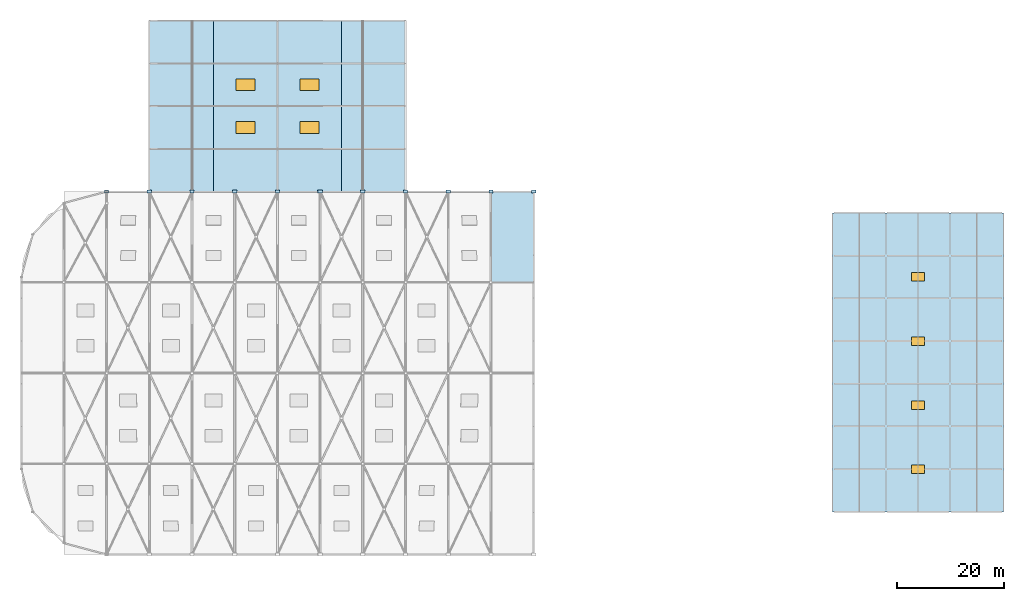
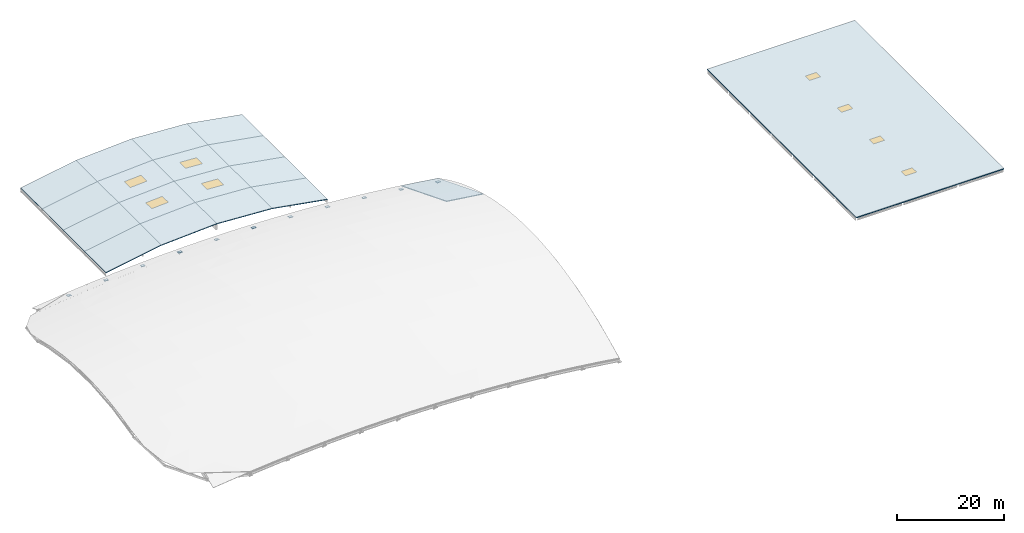
# One storey, part 7 of 11: 18 slabs, 13 plates, 8 windows, 8 openings.
"""IFC4 building model written with IfcOpenShell, lengths in metres."""

from ifc_helpers import new_model, si_unit, direction, frame, origin, origin_2d, place, context, subcontext, project, spatial, polyline, rectangle, outline, extrude, material, layer, layer_set, type_object, element, fill, save


model = new_model("IFC4")

# Units and contexts
model_context = context("Model", 3, precision=1e-05, world=origin(), true_north=direction((0.0, 1.0)))
body_context = subcontext(model_context, "Body", "Model", "MODEL_VIEW")
ifc_project = project(units=[si_unit("LENGTHUNIT", "METRE"), si_unit("AREAUNIT", "SQUARE_METRE"), si_unit("VOLUMEUNIT", "CUBIC_METRE"), si_unit("PLANEANGLEUNIT", "RADIAN"), si_unit("MASSUNIT", "GRAM", prefix="KILO")], contexts=[model_context])

# Site, building, storey
site_placement = place(None, origin())
site = spatial("IfcSite", under=ifc_project, at=site_placement, CompositionType="ELEMENT")
building_placement = place(site_placement, origin())
building = spatial("IfcBuilding", under=site, at=building_placement, Name="Drelvana Railside Aquatics Centre", CompositionType="ELEMENT")
storey_placement = place(building_placement, frame((0.0, 0.0, 22.800048828125)))
storey = spatial("IfcBuildingStorey", under=building, at=storey_placement, Name="Roof", CompositionType="ELEMENT", Elevation=22.800048828125)

# Slabs
ifc_material_1 = material(Name="Glulam timber GL28h", Category="wood")
ifc_layer_1 = layer(ifc_material_1, 0.14990234375, Name="Glulam timber GL28h")
ifc_layer_set_1 = layer_set([ifc_layer_1], Name="Glulam timber GL28h")
slab_type_1 = type_object("IfcSlabType", Name="SL-RF-150", PredefinedType="ROOF", material=ifc_layer_set_1)
slab_1_placement = place(storey_placement, frame((88.0, 67.0, 0.050048828125), z_axis=(0.126774886826, 0.366055410665, 0.921917330563), x_axis=(0.99067720781, 0.0, -0.136230209301)))
element("IfcSlab", 1, at=slab_1_placement, inside=storey, type_object=slab_type_1, Name="Gridshell planar roof panel 12.4", PredefinedType="ROOF", context=body_context, shape_type="SweptSolid", body=[
    extrude(outline(polyline([(0.0, 0.0), (8.075284196440814, 0.0), (8.994838109225748, 18.26792053304048), (0.9195539127849354, 18.26792053304048), (0.0, 0.0)])), origin(), (0.0, 0.0, -1.0), 0.14990234375),
])
ifc_layer_2 = layer(ifc_material_1, 0.159912109375, Name="Glulam timber GL28h")
ifc_layer_set_2 = layer_set([ifc_layer_2], Name="Glulam timber GL28h")
slab_type_2 = type_object("IfcSlabType", Name="SL-RF-160", PredefinedType="ROOF", material=ifc_layer_set_2)
for number, where, z_axis, x_axis, name in (
    (2, (24.0, 84.0, -4.199951171875), (-0.17236866472, 0.0, 0.985032508815), (0.985032508815, 0.0, 0.17236866472), "Diving Hall barrel vault panel 1.1"),
    (3, (24.0, 92.0, -4.199951171875), (-0.17236866472, 0.0, 0.985032508815), (0.985032508815, 0.0, 0.17236866472), "Diving Hall barrel vault panel 1.2"),
    (4, (24.0, 100.0, -4.199951171875), (-0.17236866472, 0.0, 0.985032508815), (0.985032508815, 0.0, 0.17236866472), "Diving Hall barrel vault panel 1.3"),
    (5, (24.0, 108.0, -4.199951171875), (-0.17236866472, 0.0, 0.985032508815), (0.985032508815, 0.0, 0.17236866472), "Diving Hall barrel vault panel 1.4"),
):
    element("IfcSlab", number, at=place(storey_placement, frame(where, z_axis=z_axis, x_axis=x_axis)), inside=storey, type_object=slab_type_2, Name=name, PredefinedType="ROOF", context=body_context, shape_type="SweptSolid", body=[
        extrude(outline(polyline([(0.0, 0.0), (12.18233905237753, 0.0), (12.18233905237753, 8.0), (0.0, 8.0), (0.0, 0.0)])), origin(), (0.0, 0.0, -1.0), 0.159912109375),
    ])
slab_2_placement = place(storey_placement, frame((36.0, 84.0, -2.10009765625), z_axis=(-0.058230289889, 0.0, 0.998303177066), x_axis=(0.998303177066, 0.0, 0.058230289889)))
element("IfcSlab", 6, at=slab_2_placement, inside=storey, type_object=slab_type_2, Name="Diving Hall barrel vault panel 2.1", PredefinedType="ROOF", context=body_context, shape_type="SweptSolid", body=[
    extrude(outline(polyline([(0.0, 0.0), (12.020396484434661, 0.0), (12.020396484434661, 8.0), (0.0, 8.0), (0.0, 0.0)])), origin(), (0.0, 0.0, -1.0), 0.159912109375),
])

# Slab, opening, window
slab_3_placement = place(storey_placement, frame((36.0, 92.0, -2.10009765625), z_axis=(-0.058230289889, 0.0, 0.998303177066), x_axis=(0.998303177066, 0.0, 0.058230289889)))
slab_3 = element("IfcSlab", 7, at=slab_3_placement, inside=storey, type_object=slab_type_2, Name="Diving Hall barrel vault panel 2.2", PredefinedType="ROOF", context=body_context, shape_type="SweptSolid", body=[
    extrude(outline(polyline([(0.0, 0.0), (12.020396484434661, 0.0), (12.020396484434661, 8.0), (0.0, 8.0), (0.0, 0.0)])), origin(), (0.0, 0.0, -1.0), 0.159912109375),
])
opening_1_placement = place(slab_3_placement, frame((6.01025390625, 4.0, 0.010009765625)))
opening_1 = element("IfcOpeningElement", 8, at=opening_1_placement, cuts=slab_3, Name="Opening SK-04", PredefinedType="OPENING", context=body_context, shape_type="SweptSolid", body=[
    extrude(rectangle(XDim=3.60009765625, YDim=2.199951171875, at=origin_2d()), origin(), (0.0, 0.0, -1.0), 0.179931640625),
])
ifc_material_2 = material(Name="Laminated solar-control safety glass", Category="glass")
window_type_1 = type_object("IfcWindowType", Name="WIN-SK-04", PartitioningType="SINGLE_PANEL", PredefinedType="SKYLIGHT", material=ifc_material_2)
window_1_placement = place(slab_3_placement, frame((6.01025390625, 4.0, 0.0)))
window_1 = element("IfcWindow", 9, at=window_1_placement, inside=storey, type_object=window_type_1, Name="Diving Hall rooflight 1.1", OverallHeight=2.199951171875, OverallWidth=3.60009765625, PartitioningType="SINGLE_PANEL", PredefinedType="SKYLIGHT", context=body_context, shape_type="SweptSolid", body=[
    extrude(rectangle(XDim=3.60009765625, YDim=2.199951171875, at=origin_2d()), origin(), (0.0, 0.0, -1.0), 0.06005859375),
])
fill(opening_1, window_1)

slab_4_placement = place(storey_placement, frame((36.0, 100.0, -2.10009765625), z_axis=(-0.058230289889, 0.0, 0.998303177066), x_axis=(0.998303177066, 0.0, 0.058230289889)))
slab_4 = element("IfcSlab", 10, at=slab_4_placement, inside=storey, type_object=slab_type_2, Name="Diving Hall barrel vault panel 2.3", PredefinedType="ROOF", context=body_context, shape_type="SweptSolid", body=[
    extrude(outline(polyline([(0.0, 0.0), (12.020396484434661, 0.0), (12.020396484434661, 8.0), (0.0, 8.0), (0.0, 0.0)])), origin(), (0.0, 0.0, -1.0), 0.159912109375),
])
opening_2_placement = place(slab_4_placement, frame((6.01025390625, 4.0, 0.010009765625)))
opening_2 = element("IfcOpeningElement", 11, at=opening_2_placement, cuts=slab_4, Name="Opening SK-04", PredefinedType="OPENING", context=body_context, shape_type="SweptSolid", body=[
    extrude(rectangle(XDim=3.60009765625, YDim=2.199951171875, at=origin_2d()), origin(), (0.0, 0.0, -1.0), 0.179931640625),
])
window_2_placement = place(slab_4_placement, frame((6.01025390625, 4.0, 0.0)))
window_2 = element("IfcWindow", 12, at=window_2_placement, inside=storey, type_object=window_type_1, Name="Diving Hall rooflight 1.2", OverallHeight=2.199951171875, OverallWidth=3.60009765625, PartitioningType="SINGLE_PANEL", PredefinedType="SKYLIGHT", context=body_context, shape_type="SweptSolid", body=[
    extrude(rectangle(XDim=3.60009765625, YDim=2.199951171875, at=origin_2d()), origin(), (0.0, 0.0, -1.0), 0.06005859375),
])
fill(opening_2, window_2)

# Slabs
for number, where, z_axis, x_axis, name in (
    (13, (36.0, 108.0, -2.10009765625), (-0.058230289889, 0.0, 0.998303177066), (0.998303177066, 0.0, 0.058230289889), "Diving Hall barrel vault panel 2.4"),
    (14, (48.0, 84.0, -1.400146484375), (0.058230289889, 0.0, 0.998303177066), (0.998303177066, 0.0, -0.058230289889), "Diving Hall barrel vault panel 3.1"),
):
    element("IfcSlab", number, at=place(storey_placement, frame(where, z_axis=z_axis, x_axis=x_axis)), inside=storey, type_object=slab_type_2, Name=name, PredefinedType="ROOF", context=body_context, shape_type="SweptSolid", body=[
        extrude(outline(polyline([(0.0, 0.0), (12.020396484434661, 0.0), (12.020396484434661, 8.0), (0.0, 8.0), (0.0, 0.0)])), origin(), (0.0, 0.0, -1.0), 0.159912109375),
    ])

# Slab, opening, window
slab_5_placement = place(storey_placement, frame((48.0, 92.0, -1.400146484375), z_axis=(0.058230289889, 0.0, 0.998303177066), x_axis=(0.998303177066, 0.0, -0.058230289889)))
slab_5 = element("IfcSlab", 15, at=slab_5_placement, inside=storey, type_object=slab_type_2, Name="Diving Hall barrel vault panel 3.2", PredefinedType="ROOF", context=body_context, shape_type="SweptSolid", body=[
    extrude(outline(polyline([(0.0, 0.0), (12.020396484434661, 0.0), (12.020396484434661, 8.0), (0.0, 8.0), (0.0, 0.0)])), origin(), (0.0, 0.0, -1.0), 0.159912109375),
])
opening_3_placement = place(slab_5_placement, frame((6.01025390625, 4.0, 0.010009765625)))
opening_3 = element("IfcOpeningElement", 16, at=opening_3_placement, cuts=slab_5, Name="Opening SK-04", PredefinedType="OPENING", context=body_context, shape_type="SweptSolid", body=[
    extrude(rectangle(XDim=3.60009765625, YDim=2.199951171875, at=origin_2d()), origin(), (0.0, 0.0, -1.0), 0.179931640625),
])
window_3_placement = place(slab_5_placement, frame((6.01025390625, 4.0, 0.0)))
window_3 = element("IfcWindow", 17, at=window_3_placement, inside=storey, type_object=window_type_1, Name="Diving Hall rooflight 2.1", OverallHeight=2.199951171875, OverallWidth=3.60009765625, PartitioningType="SINGLE_PANEL", PredefinedType="SKYLIGHT", context=body_context, shape_type="SweptSolid", body=[
    extrude(rectangle(XDim=3.60009765625, YDim=2.199951171875, at=origin_2d()), origin(), (0.0, 0.0, -1.0), 0.06005859375),
])
fill(opening_3, window_3)

slab_6_placement = place(storey_placement, frame((48.0, 100.0, -1.400146484375), z_axis=(0.058230289889, 0.0, 0.998303177066), x_axis=(0.998303177066, 0.0, -0.058230289889)))
slab_6 = element("IfcSlab", 18, at=slab_6_placement, inside=storey, type_object=slab_type_2, Name="Diving Hall barrel vault panel 3.3", PredefinedType="ROOF", context=body_context, shape_type="SweptSolid", body=[
    extrude(outline(polyline([(0.0, 0.0), (12.020396484434661, 0.0), (12.020396484434661, 8.0), (0.0, 8.0), (0.0, 0.0)])), origin(), (0.0, 0.0, -1.0), 0.159912109375),
])
opening_4_placement = place(slab_6_placement, frame((6.01025390625, 4.0, 0.010009765625)))
opening_4 = element("IfcOpeningElement", 19, at=opening_4_placement, cuts=slab_6, Name="Opening SK-04", PredefinedType="OPENING", context=body_context, shape_type="SweptSolid", body=[
    extrude(rectangle(XDim=3.60009765625, YDim=2.199951171875, at=origin_2d()), origin(), (0.0, 0.0, -1.0), 0.179931640625),
])
window_4_placement = place(slab_6_placement, frame((6.01025390625, 4.0, 0.0)))
window_4 = element("IfcWindow", 20, at=window_4_placement, inside=storey, type_object=window_type_1, Name="Diving Hall rooflight 2.2", OverallHeight=2.199951171875, OverallWidth=3.60009765625, PartitioningType="SINGLE_PANEL", PredefinedType="SKYLIGHT", context=body_context, shape_type="SweptSolid", body=[
    extrude(rectangle(XDim=3.60009765625, YDim=2.199951171875, at=origin_2d()), origin(), (0.0, 0.0, -1.0), 0.06005859375),
])
fill(opening_4, window_4)

# Slabs
slab_7_placement = place(storey_placement, frame((48.0, 108.0, -1.400146484375), z_axis=(0.058230289889, 0.0, 0.998303177066), x_axis=(0.998303177066, 0.0, -0.058230289889)))
element("IfcSlab", 21, at=slab_7_placement, inside=storey, type_object=slab_type_2, Name="Diving Hall barrel vault panel 3.4", PredefinedType="ROOF", context=body_context, shape_type="SweptSolid", body=[
    extrude(outline(polyline([(0.0, 0.0), (12.020396484434661, 0.0), (12.020396484434661, 8.0), (0.0, 8.0), (0.0, 0.0)])), origin(), (0.0, 0.0, -1.0), 0.159912109375),
])
for number, where, z_axis, x_axis, name in (
    (22, (60.0, 84.0, -2.10009765625), (0.17236866472, 0.0, 0.985032508815), (0.985032508815, 0.0, -0.17236866472), "Diving Hall barrel vault panel 4.1"),
    (23, (60.0, 92.0, -2.10009765625), (0.17236866472, 0.0, 0.985032508815), (0.985032508815, 0.0, -0.17236866472), "Diving Hall barrel vault panel 4.2"),
    (24, (60.0, 100.0, -2.10009765625), (0.17236866472, 0.0, 0.985032508815), (0.985032508815, 0.0, -0.17236866472), "Diving Hall barrel vault panel 4.3"),
    (25, (60.0, 108.0, -2.10009765625), (0.17236866472, 0.0, 0.985032508815), (0.985032508815, 0.0, -0.17236866472), "Diving Hall barrel vault panel 4.4"),
):
    element("IfcSlab", number, at=place(storey_placement, frame(where, z_axis=z_axis, x_axis=x_axis)), inside=storey, type_object=slab_type_2, Name=name, PredefinedType="ROOF", context=body_context, shape_type="SweptSolid", body=[
        extrude(outline(polyline([(0.0, 0.0), (12.18233905237753, 0.0), (12.18233905237753, 8.0), (0.0, 8.0), (0.0, 0.0)])), origin(), (0.0, 0.0, -1.0), 0.159912109375),
    ])

# Slab, openings, windows
ifc_material_3 = material(Name="Concrete C40/50", Category="concrete")
ifc_layer_3 = layer(ifc_material_3, 0.215087890625, Name="Concrete C40/50")
ifc_layer_set_3 = layer_set([ifc_layer_3], Name="Concrete C40/50")
slab_type_3 = type_object("IfcSlabType", Name="SL-RF-215", PredefinedType="ROOF", material=ifc_layer_set_3)
slab_8_placement = place(storey_placement, frame((0.0, 0.0, -0.215087890625)))
slab_8 = element("IfcSlab", 26, at=slab_8_placement, inside=storey, type_object=slab_type_3, Name="Federation Wing main roof slab", PredefinedType="ROOF", context=body_context, shape_type="SweptSolid", body=[
    extrude(outline(polyline([(152.0, 24.0), (184.0, 24.0), (184.0, 80.0), (152.0, 80.0), (152.0, 24.0)])), origin(), (0.0, 0.0, 1.0), 0.215087890625),
])
opening_5_placement = place(slab_8_placement, frame((168.0, 32.0, -0.010009765625), z_axis=(0.0, 0.0, 1.0), x_axis=(1.0, 0.0, 0.0)))
opening_5 = element("IfcOpeningElement", 27, at=opening_5_placement, cuts=slab_8, Name="Opening SK-01", PredefinedType="OPENING", context=body_context, shape_type="SweptSolid", body=[
    extrude(rectangle(XDim=2.39990234375, YDim=1.60009765625, at=origin_2d()), origin(), (0.0, 0.0, 1.0), 0.235107421875),
])
opening_6_placement = place(slab_8_placement, frame((168.0, 44.0, -0.010009765625), z_axis=(0.0, 0.0, 1.0), x_axis=(1.0, 0.0, 0.0)))
opening_6 = element("IfcOpeningElement", 28, at=opening_6_placement, cuts=slab_8, Name="Opening SK-01", PredefinedType="OPENING", context=body_context, shape_type="SweptSolid", body=[
    extrude(rectangle(XDim=2.39990234375, YDim=1.60009765625, at=origin_2d()), origin(), (0.0, 0.0, 1.0), 0.235107421875),
])
opening_7_placement = place(slab_8_placement, frame((168.0, 56.0, -0.010009765625), z_axis=(0.0, 0.0, 1.0), x_axis=(1.0, 0.0, 0.0)))
opening_7 = element("IfcOpeningElement", 29, at=opening_7_placement, cuts=slab_8, Name="Opening SK-01", PredefinedType="OPENING", context=body_context, shape_type="SweptSolid", body=[
    extrude(rectangle(XDim=2.39990234375, YDim=1.60009765625, at=origin_2d()), origin(), (0.0, 0.0, 1.0), 0.235107421875),
])
opening_8_placement = place(slab_8_placement, frame((168.0, 68.0, -0.010009765625), z_axis=(0.0, 0.0, 1.0), x_axis=(1.0, 0.0, 0.0)))
opening_8 = element("IfcOpeningElement", 30, at=opening_8_placement, cuts=slab_8, Name="Opening SK-01", PredefinedType="OPENING", context=body_context, shape_type="SweptSolid", body=[
    extrude(rectangle(XDim=2.39990234375, YDim=1.60009765625, at=origin_2d()), origin(), (0.0, 0.0, 1.0), 0.235107421875),
])
window_type_2 = type_object("IfcWindowType", Name="WIN-SK-01", PartitioningType="SINGLE_PANEL", PredefinedType="SKYLIGHT", material=ifc_material_2)
window_5_placement = place(slab_8_placement, frame((168.0, 32.0, 0.1650390625), z_axis=(0.0, 0.0, 1.0), x_axis=(1.0, 0.0, 0.0)))
window_5 = element("IfcWindow", 31, at=window_5_placement, inside=storey, type_object=window_type_2, Name="Federation Wing roof skylight SK-V5-01", OverallHeight=1.60009765625, OverallWidth=2.39990234375, PartitioningType="SINGLE_PANEL", PredefinedType="SKYLIGHT", context=body_context, shape_type="SweptSolid", body=[
    extrude(rectangle(XDim=2.39990234375, YDim=1.60009765625, at=origin_2d()), origin(), (0.0, 0.0, 1.0), 0.050048828125),
])
fill(opening_5, window_5)
window_6_placement = place(slab_8_placement, frame((168.0, 44.0, 0.1650390625), z_axis=(0.0, 0.0, 1.0), x_axis=(1.0, 0.0, 0.0)))
window_6 = element("IfcWindow", 32, at=window_6_placement, inside=storey, type_object=window_type_2, Name="Federation Wing roof skylight SK-V5-02", OverallHeight=1.60009765625, OverallWidth=2.39990234375, PartitioningType="SINGLE_PANEL", PredefinedType="SKYLIGHT", context=body_context, shape_type="SweptSolid", body=[
    extrude(rectangle(XDim=2.39990234375, YDim=1.60009765625, at=origin_2d()), origin(), (0.0, 0.0, 1.0), 0.050048828125),
])
fill(opening_6, window_6)
window_7_placement = place(slab_8_placement, frame((168.0, 56.0, 0.1650390625), z_axis=(0.0, 0.0, 1.0), x_axis=(1.0, 0.0, 0.0)))
window_7 = element("IfcWindow", 33, at=window_7_placement, inside=storey, type_object=window_type_2, Name="Federation Wing roof skylight SK-V5-03", OverallHeight=1.60009765625, OverallWidth=2.39990234375, PartitioningType="SINGLE_PANEL", PredefinedType="SKYLIGHT", context=body_context, shape_type="SweptSolid", body=[
    extrude(rectangle(XDim=2.39990234375, YDim=1.60009765625, at=origin_2d()), origin(), (0.0, 0.0, 1.0), 0.050048828125),
])
fill(opening_7, window_7)
window_8_placement = place(slab_8_placement, frame((168.0, 68.0, 0.1650390625), z_axis=(0.0, 0.0, 1.0), x_axis=(1.0, 0.0, 0.0)))
window_8 = element("IfcWindow", 34, at=window_8_placement, inside=storey, type_object=window_type_2, Name="Federation Wing roof skylight SK-V5-04", OverallHeight=1.60009765625, OverallWidth=2.39990234375, PartitioningType="SINGLE_PANEL", PredefinedType="SKYLIGHT", context=body_context, shape_type="SweptSolid", body=[
    extrude(rectangle(XDim=2.39990234375, YDim=1.60009765625, at=origin_2d()), origin(), (0.0, 0.0, 1.0), 0.050048828125),
])
fill(opening_8, window_8)

# Plates
ifc_material_4 = material(Name="Structural steel S355", Category="steel")
ifc_layer_4 = layer(ifc_material_4, 0.044921875, Name="Structural steel S355")
ifc_layer_set_4 = layer_set([ifc_layer_4], Name="Structural steel S355")
plate_type_1 = type_object("IfcPlateType", Name="STR-PLT-PL-02", PredefinedType="SHEET", material=ifc_layer_set_4)
for number, where, z_axis, x_axis, name in (
    (35, (16.0, 84.0, -6.62939453125), (0.0, 0.0, 1.0), (1.0, 0.0, 0.0), "Gridshell springing base plate PL-02 #2"),
    (36, (24.0, 84.0, -5.929443359375), (0.0, 0.0, 1.0), (1.0, 0.0, 0.0), "Gridshell springing base plate PL-02 #4"),
    (37, (32.0, 84.0, -5.429443359375), (0.0, 0.0, 1.0), (1.0, 0.0, 0.0), "Gridshell springing base plate PL-02 #6"),
    (38, (40.0, 84.0, -5.12939453125), (0.0, 0.0, 1.0), (1.0, 0.0, 0.0), "Gridshell springing base plate PL-02 #8"),
    (39, (48.0, 84.0, -5.029541015625), (0.0, 0.0, 1.0), (1.0, 0.0, 0.0), "Gridshell springing base plate PL-02 #10"),
    (40, (56.0, 84.0, -5.12939453125), (0.0, 0.0, 1.0), (1.0, 0.0, 0.0), "Gridshell springing base plate PL-02 #12"),
    (41, (64.0, 84.0, -5.429443359375), (0.0, 0.0, 1.0), (1.0, 0.0, 0.0), "Gridshell springing base plate PL-02 #14"),
    (42, (72.0, 84.0, -5.929443359375), (0.0, 0.0, 1.0), (1.0, 0.0, 0.0), "Gridshell springing base plate PL-02 #16"),
    (43, (80.0, 84.0, -6.62939453125), (0.0, 0.0, 1.0), (1.0, 0.0, 0.0), "Gridshell springing base plate PL-02 #18"),
    (44, (88.0, 84.0, -7.529541015625), (0.0, 0.0, 1.0), (1.0, 0.0, 0.0), "Gridshell springing base plate PL-02 #20"),
    (45, (96.0, 84.0, -8.62939453125), (0.0, 0.0, 1.0), (1.0, 0.0, 0.0), "Gridshell springing base plate PL-02 #22"),
):
    element("IfcPlate", number, at=place(storey_placement, frame(where, z_axis=z_axis, x_axis=x_axis)), inside=storey, type_object=plate_type_1, Name=name, PredefinedType="SHEET", context=body_context, shape_type="SweptSolid", body=[
        extrude(rectangle(XDim=0.800048828125, YDim=0.60009765625, at=origin_2d()), origin(), (0.0, 0.0, 1.0), 0.044921875),
    ])
ifc_layer_5 = layer(ifc_material_4, 0.054931640625, Name="Structural steel S355")
ifc_layer_set_5 = layer_set([ifc_layer_5], Name="Structural steel S355")
plate_type_2 = type_object("IfcPlateType", Name="STR-PLT-PL-03", PredefinedType="SHEET", material=ifc_layer_set_5)
for number, where, z_axis, x_axis, name in (
    (46, (40.0, 84.0, -5.0947265625), (0.0, 0.0, 1.0), (1.0, 0.0, 0.0), "Gridshell heavy bearing plate PL-03 #8"),
    (47, (56.0, 84.0, -5.0947265625), (0.0, 0.0, 1.0), (1.0, 0.0, 0.0), "Gridshell heavy bearing plate PL-03 #12"),
):
    element("IfcPlate", number, at=place(storey_placement, frame(where, z_axis=z_axis, x_axis=x_axis)), inside=storey, type_object=plate_type_2, Name=name, PredefinedType="SHEET", context=body_context, shape_type="SweptSolid", body=[
        extrude(rectangle(XDim=0.89990234375, YDim=0.60009765625, at=origin_2d()), origin(), (0.0, 0.0, 1.0), 0.054931640625),
    ])

save(model, "model.ifc")
